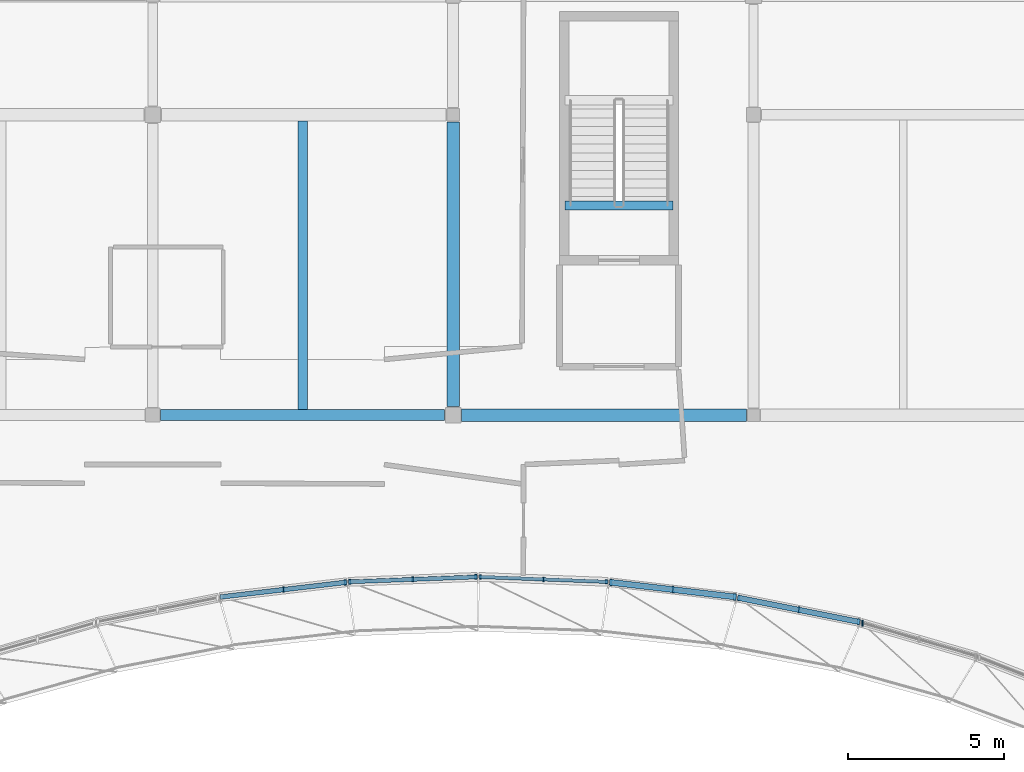
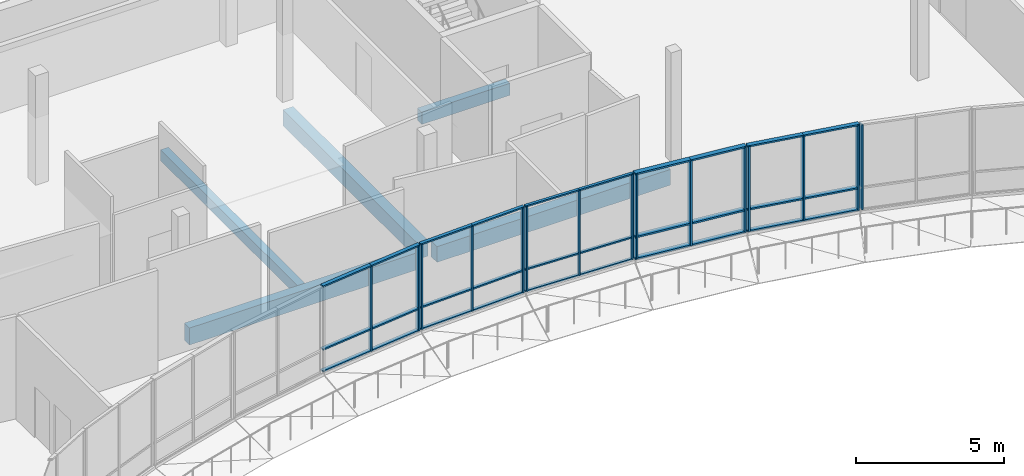
# One storey, part 14 of 41: 45 members, 5 beams, 6 elements without a shape of their own.
"""IFC4 building model written with IfcOpenShell, lengths in metres."""

from ifc_helpers import new_model, si_unit, direction, frame, origin, origin_2d, place, context, subcontext, project, spatial, rectangle, extrude, material, material_profile, profile_set, type_object, element, aggregate, save


model = new_model("IFC4")

# Units and contexts
model_context = context("Model", 3, precision=1e-05, world=origin(), true_north=direction((0.0, 1.0)))
body_context = subcontext(model_context, "Body", "Model", "MODEL_VIEW")
ifc_project = project(units=[si_unit("LENGTHUNIT", "METRE"), si_unit("AREAUNIT", "SQUARE_METRE"), si_unit("VOLUMEUNIT", "CUBIC_METRE"), si_unit("PLANEANGLEUNIT", "RADIAN"), si_unit("MASSUNIT", "GRAM", prefix="KILO")], contexts=[model_context])

# Site, building, storey
site_placement = place(None, origin())
site = spatial("IfcSite", under=ifc_project, at=site_placement, CompositionType="ELEMENT")
building_placement = place(site_placement, origin())
building = spatial("IfcBuilding", under=site, at=building_placement, Name="Mzevani Central Library", CompositionType="ELEMENT")
storey_placement = place(building_placement, frame((0.0, 0.0, 13.800048828125)))
storey = spatial("IfcBuildingStorey", under=building, at=storey_placement, Name="L03", CompositionType="ELEMENT", Elevation=13.800048828125)

# Beams
ifc_material_1 = material(Name="Concrete C35/45", Category="concrete")
ifc_material_profile_1 = material_profile(ifc_material_1, rectangle(XDim=0.300048828125, YDim=0.5, at=origin_2d()), Name="RC B300x500")
ifc_profile_set_1 = profile_set([ifc_material_profile_1], Name="Concrete C35/45")
beam_type_1 = type_object("IfcBeamType", Name="Beam RC 300x500", PredefinedType="BEAM", material=ifc_profile_set_1)
beam_1_placement = place(storey_placement, frame((86.780029296875, 106.699951171875, -0.25), z_axis=(1.0, 0.0, 0.0), x_axis=(0.0, 1.0, 0.0)))
element("IfcBeam", 1, at=beam_1_placement, inside=storey, type_object=beam_type_1, Name="L03 Core C3B Atrium East Escape Stair Stair Opening Trimmer Beam", PredefinedType="BEAM", context=body_context, shape_type="SweptSolid", body=[
    extrude(rectangle(XDim=0.300048828125, YDim=0.5, at=origin_2d()), origin(), (0.0, 0.0, 1.0), 3.43994140625),
])
ifc_material_profile_2 = material_profile(ifc_material_1, rectangle(XDim=0.35009765625, YDim=0.699951171875, at=origin_2d()), Name="RC B350x700")
ifc_profile_set_2 = profile_set([ifc_material_profile_2], Name="Concrete C35/45")
beam_type_2 = type_object("IfcBeamType", Name="Beam RC 350x700", PredefinedType="BEAM", material=ifc_profile_set_2)
beam_2_placement = place(storey_placement, frame((73.85009765625, 100.0, -0.630126953125), z_axis=(1.0, 0.0, 0.0), x_axis=(0.0, 1.0, 0.0)))
element("IfcBeam", 2, at=beam_2_placement, inside=storey, type_object=beam_type_2, Name="L03 V3 Girder B-06 (641)", PredefinedType="BEAM", context=body_context, shape_type="SweptSolid", body=[
    extrude(rectangle(XDim=0.35009765625, YDim=0.699951171875, at=origin_2d()), origin(), (0.0, 0.0, 1.0), 9.074951171875),
])
ifc_material_profile_3 = material_profile(ifc_material_1, rectangle(XDim=0.39990234375, YDim=0.64990234375, at=origin_2d()), Name="RC B400x650")
ifc_profile_set_3 = profile_set([ifc_material_profile_3], Name="Concrete C35/45")
beam_type_3 = type_object("IfcBeamType", Name="Beam RC 400x650", PredefinedType="BEAM", material=ifc_profile_set_3)
beam_3_placement = place(storey_placement, frame((83.47509765625, 100.0, -0.60498046875), z_axis=(1.0, 0.0, 0.0), x_axis=(0.0, 1.0, 0.0)))
element("IfcBeam", 3, at=beam_3_placement, inside=storey, type_object=beam_type_3, Name="L03 V3 Girder B-07 (642)", PredefinedType="BEAM", context=body_context, shape_type="SweptSolid", body=[
    extrude(rectangle(XDim=0.39990234375, YDim=0.64990234375, at=origin_2d()), origin(), (0.0, 0.0, 1.0), 9.099853515625),
])
beam_4_placement = place(storey_placement, frame((83.199951171875, 100.27490234375, -0.60498046875), z_axis=(0.0, 1.0, 0.0), x_axis=(-1.0, 0.0, 0.0)))
element("IfcBeam", 4, at=beam_4_placement, inside=storey, type_object=beam_type_3, Name="L03 V3 Frame Beam B-07 (674)", PredefinedType="BEAM", context=body_context, shape_type="SweptSolid", body=[
    extrude(rectangle(XDim=0.39990234375, YDim=0.64990234375, at=origin_2d()), origin(), (0.0, 0.0, 1.0), 9.10009765625),
])

# Curtain wall, members
ifc_material_2 = material(Name="Thermally broken aluminium and Low-E triple glazing", Category="aluminium")
curtain_wall_type_1 = type_object("IfcCurtainWallType", Name="Elliptical Court Unitised Curtain Wall", PredefinedType="NOTDEFINED", material=ifc_material_2)
curtain_wall_1_placement = place(storey_placement, origin())
curtain_wall_1 = element("IfcCurtainWall", 5, at=curtain_wall_1_placement, inside=storey, type_object=curtain_wall_type_1, Name="L03 Elliptical Court Curtain Wall 12", PredefinedType="NOTDEFINED")
ifc_material_3 = material(Name="Thermally broken aluminium AW-6060", Category="aluminium")
ifc_material_profile_4 = material_profile(ifc_material_3, rectangle(XDim=0.06005859375, YDim=0.139892578125, at=origin_2d()), Name="ALU M60x140")
ifc_profile_set_4 = profile_set([ifc_material_profile_4], Name="Thermally broken aluminium AW-6060")
member_type_1 = type_object("IfcMemberType", Name="CW Mullion 60x140", PredefinedType="MULLION", material=ifc_profile_set_4)
member_1_placement = place(storey_placement, frame((88.09912109375, 94.673583984375, 0.719970703125), z_axis=(0.0, 0.0, 1.0), x_axis=(1.0, 0.0, 0.0)))
member_1 = element("IfcMember", 6, at=member_1_placement, type_object=member_type_1, Name="L03 Elliptical Court Curtain Wall 12 Mullion 1", PredefinedType="MULLION", context=body_context, shape_type="SweptSolid", body=[
    extrude(rectangle(XDim=0.06005859375, YDim=0.139892578125, at=origin_2d()), origin(), (0.0, 0.0, 1.0), 3.5),
])
member_2_placement = place(storey_placement, frame((86.086669921875, 94.75146484375, 0.719970703125), z_axis=(0.0, 0.0, 1.0), x_axis=(1.0, 0.0, 0.0)))
member_2 = element("IfcMember", 7, at=member_2_placement, type_object=member_type_1, Name="L03 Elliptical Court Curtain Wall 12 Mullion 2", PredefinedType="MULLION", context=body_context, shape_type="SweptSolid", body=[
    extrude(rectangle(XDim=0.06005859375, YDim=0.139892578125, at=origin_2d()), origin(), (0.0, 0.0, 1.0), 3.5),
])
member_3_placement = place(storey_placement, frame((84.07421875, 94.8291015625, 0.719970703125), z_axis=(0.0, 0.0, 1.0), x_axis=(1.0, 0.0, 0.0)))
member_3 = element("IfcMember", 8, at=member_3_placement, type_object=member_type_1, Name="L03 Elliptical Court Curtain Wall 12 Mullion 3", PredefinedType="MULLION", context=body_context, shape_type="SweptSolid", body=[
    extrude(rectangle(XDim=0.06005859375, YDim=0.139892578125, at=origin_2d()), origin(), (0.0, 0.0, 1.0), 3.5),
])

curtain_wall_type_2 = type_object("IfcCurtainWallType", Name="Reading Hall Northlight Curtain Wall", PredefinedType="NOTDEFINED", material=ifc_material_2)
curtain_wall_2_placement = place(storey_placement, origin())
curtain_wall_2 = element("IfcCurtainWall", 9, at=curtain_wall_2_placement, inside=storey, type_object=curtain_wall_type_2, Name="L03 Elliptical Court Curtain Wall 13", PredefinedType="NOTDEFINED")
ifc_material_profile_5 = material_profile(ifc_material_3, rectangle(XDim=0.06005859375, YDim=0.159912109375, at=origin_2d()), Name="ALU M60x160")
ifc_profile_set_5 = profile_set([ifc_material_profile_5], Name="Thermally broken aluminium AW-6060")
member_type_2 = type_object("IfcMemberType", Name="CW Mullion 60x160", PredefinedType="MULLION", material=ifc_profile_set_5)
member_4_placement = place(storey_placement, frame((83.92578125, 94.8291015625, 0.719970703125), z_axis=(0.0, 0.0, 1.0), x_axis=(1.0, 0.0, 0.0)))
member_4 = element("IfcMember", 10, at=member_4_placement, type_object=member_type_2, Name="L03 Elliptical Court Curtain Wall 13 Mullion 1", PredefinedType="MULLION", context=body_context, shape_type="SweptSolid", body=[
    extrude(rectangle(XDim=0.06005859375, YDim=0.159912109375, at=origin_2d()), origin(), (0.0, 0.0, 1.0), 3.5),
])
member_5_placement = place(storey_placement, frame((81.913330078125, 94.75146484375, 0.719970703125), z_axis=(0.0, 0.0, 1.0), x_axis=(1.0, 0.0, 0.0)))
member_5 = element("IfcMember", 11, at=member_5_placement, type_object=member_type_2, Name="L03 Elliptical Court Curtain Wall 13 Mullion 2", PredefinedType="MULLION", context=body_context, shape_type="SweptSolid", body=[
    extrude(rectangle(XDim=0.06005859375, YDim=0.159912109375, at=origin_2d()), origin(), (0.0, 0.0, 1.0), 3.5),
])
member_6_placement = place(storey_placement, frame((79.90087890625, 94.673583984375, 0.719970703125), z_axis=(0.0, 0.0, 1.0), x_axis=(1.0, 0.0, 0.0)))
member_6 = element("IfcMember", 12, at=member_6_placement, type_object=member_type_2, Name="L03 Elliptical Court Curtain Wall 13 Mullion 3", PredefinedType="MULLION", context=body_context, shape_type="SweptSolid", body=[
    extrude(rectangle(XDim=0.06005859375, YDim=0.159912109375, at=origin_2d()), origin(), (0.0, 0.0, 1.0), 3.5),
])

# Curtain wall, member
curtain_wall_3_placement = place(storey_placement, origin())
curtain_wall_3 = element("IfcCurtainWall", 13, at=curtain_wall_3_placement, inside=storey, type_object=curtain_wall_type_1, Name="L03 Elliptical Court Curtain Wall 9", PredefinedType="NOTDEFINED")
ifc_material_profile_6 = material_profile(ifc_material_3, rectangle(XDim=0.06005859375, YDim=0.179931640625, at=origin_2d()), Name="ALU M60x180")
ifc_profile_set_6 = profile_set([ifc_material_profile_6], Name="Thermally broken aluminium AW-6060")
member_type_3 = type_object("IfcMemberType", Name="CW Mullion 60x180", PredefinedType="MULLION", material=ifc_profile_set_6)
member_7_placement = place(storey_placement, frame((96.281982421875, 93.350341796875, 0.719970703125), z_axis=(0.0, 0.0, 1.0), x_axis=(1.0, 0.0, 0.0)))
member_7 = element("IfcMember", 14, at=member_7_placement, type_object=member_type_3, Name="L03 Elliptical Court Curtain Wall 9 Mullion 3", PredefinedType="MULLION", context=body_context, shape_type="SweptSolid", body=[
    extrude(rectangle(XDim=0.06005859375, YDim=0.179931640625, at=origin_2d()), origin(), (0.0, 0.0, 1.0), 3.5),
])
aggregate(curtain_wall_3, [member_7])

# Curtain wall, members
curtain_wall_4_placement = place(storey_placement, origin())
curtain_wall_4 = element("IfcCurtainWall", 15, at=curtain_wall_4_placement, inside=storey, type_object=curtain_wall_type_1, Name="L03 Elliptical Court Curtain Wall 14", PredefinedType="NOTDEFINED")
member_8_placement = place(storey_placement, frame((79.75537109375, 94.65576171875, 0.719970703125), z_axis=(0.0, 0.0, 1.0), x_axis=(1.0, 0.0, 0.0)))
member_8 = element("IfcMember", 16, at=member_8_placement, type_object=member_type_3, Name="L03 Elliptical Court Curtain Wall 14 Mullion 1", PredefinedType="MULLION", context=body_context, shape_type="SweptSolid", body=[
    extrude(rectangle(XDim=0.06005859375, YDim=0.179931640625, at=origin_2d()), origin(), (0.0, 0.0, 1.0), 3.5),
])
member_9_placement = place(storey_placement, frame((77.77783203125, 94.424072265625, 0.719970703125), z_axis=(0.0, 0.0, 1.0), x_axis=(1.0, 0.0, 0.0)))
member_9 = element("IfcMember", 17, at=member_9_placement, type_object=member_type_3, Name="L03 Elliptical Court Curtain Wall 14 Mullion 2", PredefinedType="MULLION", context=body_context, shape_type="SweptSolid", body=[
    extrude(rectangle(XDim=0.06005859375, YDim=0.179931640625, at=origin_2d()), origin(), (0.0, 0.0, 1.0), 3.5),
])

curtain_wall_5_placement = place(storey_placement, origin())
curtain_wall_5 = element("IfcCurtainWall", 18, at=curtain_wall_5_placement, inside=storey, type_object=curtain_wall_type_2, Name="L03 Elliptical Court Curtain Wall 10", PredefinedType="NOTDEFINED")
ifc_material_profile_7 = material_profile(ifc_material_3, rectangle(XDim=0.06494140625, YDim=0.199951171875, at=origin_2d()), Name="ALU M65x200")
ifc_profile_set_7 = profile_set([ifc_material_profile_7], Name="Thermally broken aluminium AW-6060")
member_type_4 = type_object("IfcMemberType", Name="CW Mullion 65x200", PredefinedType="MULLION", material=ifc_profile_set_7)
member_10_placement = place(storey_placement, frame((96.153564453125, 93.39599609375, 0.719970703125), z_axis=(0.0, 0.0, 1.0), x_axis=(1.0, 0.0, 0.0)))
member_10 = element("IfcMember", 19, at=member_10_placement, type_object=member_type_4, Name="L03 Elliptical Court Curtain Wall 10 Mullion 1", PredefinedType="MULLION", context=body_context, shape_type="SweptSolid", body=[
    extrude(rectangle(XDim=0.06494140625, YDim=0.199951171875, at=origin_2d()), origin(), (0.0, 0.0, 1.0), 3.5),
])
member_11_placement = place(storey_placement, frame((94.24560546875, 93.77734375, 0.719970703125), z_axis=(0.0, 0.0, 1.0), x_axis=(1.0, 0.0, 0.0)))
member_11 = element("IfcMember", 20, at=member_11_placement, type_object=member_type_4, Name="L03 Elliptical Court Curtain Wall 10 Mullion 2", PredefinedType="MULLION", context=body_context, shape_type="SweptSolid", body=[
    extrude(rectangle(XDim=0.06494140625, YDim=0.199951171875, at=origin_2d()), origin(), (0.0, 0.0, 1.0), 3.5),
])
member_12_placement = place(storey_placement, frame((92.337646484375, 94.158935546875, 0.719970703125), z_axis=(0.0, 0.0, 1.0), x_axis=(1.0, 0.0, 0.0)))
member_12 = element("IfcMember", 21, at=member_12_placement, type_object=member_type_4, Name="L03 Elliptical Court Curtain Wall 10 Mullion 3", PredefinedType="MULLION", context=body_context, shape_type="SweptSolid", body=[
    extrude(rectangle(XDim=0.06494140625, YDim=0.199951171875, at=origin_2d()), origin(), (0.0, 0.0, 1.0), 3.5),
])

curtain_wall_6_placement = place(storey_placement, origin())
curtain_wall_6 = element("IfcCurtainWall", 22, at=curtain_wall_6_placement, inside=storey, type_object=curtain_wall_type_1, Name="L03 Elliptical Court Curtain Wall 11", PredefinedType="NOTDEFINED")
ifc_material_profile_8 = material_profile(ifc_material_3, rectangle(XDim=0.070068359375, YDim=0.219970703125, at=origin_2d()), Name="ALU M70x220")
ifc_profile_set_8 = profile_set([ifc_material_profile_8], Name="Thermally broken aluminium AW-6060")
member_type_5 = type_object("IfcMemberType", Name="CW Mullion 70x220", PredefinedType="MULLION", material=ifc_profile_set_8)
member_13_placement = place(storey_placement, frame((92.199462890625, 94.1923828125, 0.719970703125), z_axis=(0.0, 0.0, 1.0), x_axis=(1.0, 0.0, 0.0)))
member_13 = element("IfcMember", 23, at=member_13_placement, type_object=member_type_5, Name="L03 Elliptical Court Curtain Wall 11 Mullion 1", PredefinedType="MULLION", context=body_context, shape_type="SweptSolid", body=[
    extrude(rectangle(XDim=0.070068359375, YDim=0.219970703125, at=origin_2d()), origin(), (0.0, 0.0, 1.0), 3.5),
])
member_14_placement = place(storey_placement, frame((90.22216796875, 94.424072265625, 0.719970703125), z_axis=(0.0, 0.0, 1.0), x_axis=(1.0, 0.0, 0.0)))
member_14 = element("IfcMember", 24, at=member_14_placement, type_object=member_type_5, Name="L03 Elliptical Court Curtain Wall 11 Mullion 2", PredefinedType="MULLION", context=body_context, shape_type="SweptSolid", body=[
    extrude(rectangle(XDim=0.070068359375, YDim=0.219970703125, at=origin_2d()), origin(), (0.0, 0.0, 1.0), 3.5),
])
member_15_placement = place(storey_placement, frame((88.24462890625, 94.65576171875, 0.719970703125), z_axis=(0.0, 0.0, 1.0), x_axis=(1.0, 0.0, 0.0)))
member_15 = element("IfcMember", 25, at=member_15_placement, type_object=member_type_5, Name="L03 Elliptical Court Curtain Wall 11 Mullion 3", PredefinedType="MULLION", context=body_context, shape_type="SweptSolid", body=[
    extrude(rectangle(XDim=0.070068359375, YDim=0.219970703125, at=origin_2d()), origin(), (0.0, 0.0, 1.0), 3.5),
])

# Member
ifc_material_profile_9 = material_profile(ifc_material_3, rectangle(XDim=0.110107421875, YDim=0.06005859375, at=origin_2d()), Name="ALU T60x110")
ifc_profile_set_9 = profile_set([ifc_material_profile_9], Name="Thermally broken aluminium AW-6060")
member_type_6 = type_object("IfcMemberType", Name="CW Transom 60x110", PredefinedType="USERDEFINED", material=ifc_profile_set_9)
member_16_placement = place(storey_placement, frame((88.14892578125, 94.671630859375, 0.719970703125), z_axis=(-0.999251532882, 0.038682994111, 0.0), x_axis=(-0.038682994111, -0.999251532882, 0.0)))
member_16 = element("IfcMember", 26, at=member_16_placement, type_object=member_type_6, Name="L03 Elliptical Court Curtain Wall 12 Transom 1", ObjectType="TRANSOM", PredefinedType="USERDEFINED", context=body_context, shape_type="SweptSolid", body=[
    extrude(rectangle(XDim=0.110107421875, YDim=0.06005859375, at=origin_2d()), origin(), (0.0, 0.0, 1.0), 2.063720703125),
])

member_17_placement = place(storey_placement, frame((88.14892578125, 94.671630859375, 1.619873046875), z_axis=(-0.999251532882, 0.038682994111, 0.0), x_axis=(-0.038682994111, -0.999251532882, 0.0)))
member_17 = element("IfcMember", 27, at=member_17_placement, type_object=member_type_6, Name="L03 Elliptical Court Curtain Wall 12 Transom 2", ObjectType="TRANSOM", PredefinedType="USERDEFINED", context=body_context, shape_type="SweptSolid", body=[
    extrude(rectangle(XDim=0.110107421875, YDim=0.06005859375, at=origin_2d()), origin(), (0.0, 0.0, 1.0), 2.063720703125),
])

member_18_placement = place(storey_placement, frame((88.14892578125, 94.671630859375, 4.219970703125), z_axis=(-0.999251532882, 0.038682994111, 0.0), x_axis=(-0.038682994111, -0.999251532882, 0.0)))
member_18 = element("IfcMember", 28, at=member_18_placement, type_object=member_type_6, Name="L03 Elliptical Court Curtain Wall 12 Transom 3", ObjectType="TRANSOM", PredefinedType="USERDEFINED", context=body_context, shape_type="SweptSolid", body=[
    extrude(rectangle(XDim=0.110107421875, YDim=0.06005859375, at=origin_2d()), origin(), (0.0, 0.0, 1.0), 2.063720703125),
])

member_19_placement = place(storey_placement, frame((86.086669921875, 94.75146484375, 0.719970703125), z_axis=(-0.999256098564, 0.038564873699, 0.0), x_axis=(-0.038564873699, -0.999256098564, 0.0)))
member_19 = element("IfcMember", 29, at=member_19_placement, type_object=member_type_6, Name="L03 Elliptical Court Curtain Wall 12 Transom 4", ObjectType="TRANSOM", PredefinedType="USERDEFINED", context=body_context, shape_type="SweptSolid", body=[
    extrude(rectangle(XDim=0.110107421875, YDim=0.06005859375, at=origin_2d()), origin(), (0.0, 0.0, 1.0), 2.063720703125),
])

member_20_placement = place(storey_placement, frame((86.086669921875, 94.75146484375, 1.619873046875), z_axis=(-0.999256098564, 0.038564873699, 0.0), x_axis=(-0.038564873699, -0.999256098564, 0.0)))
member_20 = element("IfcMember", 30, at=member_20_placement, type_object=member_type_6, Name="L03 Elliptical Court Curtain Wall 12 Transom 5", ObjectType="TRANSOM", PredefinedType="USERDEFINED", context=body_context, shape_type="SweptSolid", body=[
    extrude(rectangle(XDim=0.110107421875, YDim=0.06005859375, at=origin_2d()), origin(), (0.0, 0.0, 1.0), 2.063720703125),
])

member_21_placement = place(storey_placement, frame((86.086669921875, 94.75146484375, 4.219970703125), z_axis=(-0.999256098564, 0.038564873699, 0.0), x_axis=(-0.038564873699, -0.999256098564, 0.0)))
member_21 = element("IfcMember", 31, at=member_21_placement, type_object=member_type_6, Name="L03 Elliptical Court Curtain Wall 12 Transom 6", ObjectType="TRANSOM", PredefinedType="USERDEFINED", context=body_context, shape_type="SweptSolid", body=[
    extrude(rectangle(XDim=0.110107421875, YDim=0.06005859375, at=origin_2d()), origin(), (0.0, 0.0, 1.0), 2.063720703125),
])

aggregate(curtain_wall_1, [member_1, member_2, member_3, member_16, member_17, member_18, member_19, member_20, member_21])

ifc_material_profile_10 = material_profile(ifc_material_3, rectangle(XDim=0.1298828125, YDim=0.06005859375, at=origin_2d()), Name="ALU T60x130")
ifc_profile_set_10 = profile_set([ifc_material_profile_10], Name="Thermally broken aluminium AW-6060")
member_type_7 = type_object("IfcMemberType", Name="CW Transom 60x130", PredefinedType="USERDEFINED", material=ifc_profile_set_10)
member_22_placement = place(storey_placement, frame((83.9755859375, 94.8310546875, 0.719970703125), z_axis=(-0.999256098564, -0.038564873699, 0.0), x_axis=(0.038564873699, -0.999256098564, 0.0)))
member_22 = element("IfcMember", 32, at=member_22_placement, type_object=member_type_7, Name="L03 Elliptical Court Curtain Wall 13 Transom 1", ObjectType="TRANSOM", PredefinedType="USERDEFINED", context=body_context, shape_type="SweptSolid", body=[
    extrude(rectangle(XDim=0.1298828125, YDim=0.06005859375, at=origin_2d()), origin(), (0.0, 0.0, 1.0), 2.063720703125),
])

member_23_placement = place(storey_placement, frame((83.9755859375, 94.8310546875, 1.619873046875), z_axis=(-0.999256098564, -0.038564873699, 0.0), x_axis=(0.038564873699, -0.999256098564, 0.0)))
member_23 = element("IfcMember", 33, at=member_23_placement, type_object=member_type_7, Name="L03 Elliptical Court Curtain Wall 13 Transom 2", ObjectType="TRANSOM", PredefinedType="USERDEFINED", context=body_context, shape_type="SweptSolid", body=[
    extrude(rectangle(XDim=0.1298828125, YDim=0.06005859375, at=origin_2d()), origin(), (0.0, 0.0, 1.0), 2.063720703125),
])

member_24_placement = place(storey_placement, frame((83.9755859375, 94.8310546875, 4.219970703125), z_axis=(-0.999256098564, -0.038564873699, 0.0), x_axis=(0.038564873699, -0.999256098564, 0.0)))
member_24 = element("IfcMember", 34, at=member_24_placement, type_object=member_type_7, Name="L03 Elliptical Court Curtain Wall 13 Transom 3", ObjectType="TRANSOM", PredefinedType="USERDEFINED", context=body_context, shape_type="SweptSolid", body=[
    extrude(rectangle(XDim=0.1298828125, YDim=0.06005859375, at=origin_2d()), origin(), (0.0, 0.0, 1.0), 2.063720703125),
])

member_25_placement = place(storey_placement, frame((81.913330078125, 94.75146484375, 0.719970703125), z_axis=(-0.999251532882, -0.038682994111, 0.0), x_axis=(0.038682994111, -0.999251532882, 0.0)))
member_25 = element("IfcMember", 35, at=member_25_placement, type_object=member_type_7, Name="L03 Elliptical Court Curtain Wall 13 Transom 4", ObjectType="TRANSOM", PredefinedType="USERDEFINED", context=body_context, shape_type="SweptSolid", body=[
    extrude(rectangle(XDim=0.1298828125, YDim=0.06005859375, at=origin_2d()), origin(), (0.0, 0.0, 1.0), 2.063720703125),
])

member_26_placement = place(storey_placement, frame((81.913330078125, 94.75146484375, 1.619873046875), z_axis=(-0.999251532882, -0.038682994111, 0.0), x_axis=(0.038682994111, -0.999251532882, 0.0)))
member_26 = element("IfcMember", 36, at=member_26_placement, type_object=member_type_7, Name="L03 Elliptical Court Curtain Wall 13 Transom 5", ObjectType="TRANSOM", PredefinedType="USERDEFINED", context=body_context, shape_type="SweptSolid", body=[
    extrude(rectangle(XDim=0.1298828125, YDim=0.06005859375, at=origin_2d()), origin(), (0.0, 0.0, 1.0), 2.063720703125),
])

member_27_placement = place(storey_placement, frame((81.913330078125, 94.75146484375, 4.219970703125), z_axis=(-0.999251532882, -0.038682994111, 0.0), x_axis=(0.038682994111, -0.999251532882, 0.0)))
member_27 = element("IfcMember", 37, at=member_27_placement, type_object=member_type_7, Name="L03 Elliptical Court Curtain Wall 13 Transom 6", ObjectType="TRANSOM", PredefinedType="USERDEFINED", context=body_context, shape_type="SweptSolid", body=[
    extrude(rectangle(XDim=0.1298828125, YDim=0.06005859375, at=origin_2d()), origin(), (0.0, 0.0, 1.0), 2.063720703125),
])

aggregate(curtain_wall_2, [member_4, member_5, member_6, member_22, member_23, member_24, member_25, member_26, member_27])

ifc_material_profile_11 = material_profile(ifc_material_3, rectangle(XDim=0.14990234375, YDim=0.06005859375, at=origin_2d()), Name="ALU T60x150")
ifc_profile_set_11 = profile_set([ifc_material_profile_11], Name="Thermally broken aluminium AW-6060")
member_type_8 = type_object("IfcMemberType", Name="CW Transom 60x150", PredefinedType="USERDEFINED", material=ifc_profile_set_11)
member_28_placement = place(storey_placement, frame((79.804931640625, 94.66162109375, 0.719970703125), z_axis=(-0.993203575515, -0.116390109476, 0.0), x_axis=(0.116390109476, -0.993203575515, 0.0)))
member_28 = element("IfcMember", 38, at=member_28_placement, type_object=member_type_8, Name="L03 Elliptical Court Curtain Wall 14 Transom 1", ObjectType="TRANSOM", PredefinedType="USERDEFINED", context=body_context, shape_type="SweptSolid", body=[
    extrude(rectangle(XDim=0.14990234375, YDim=0.06005859375, at=origin_2d()), origin(), (0.0, 0.0, 1.0), 2.041015625),
])

member_29_placement = place(storey_placement, frame((79.804931640625, 94.66162109375, 1.619873046875), z_axis=(-0.993203575515, -0.116390109476, 0.0), x_axis=(0.116390109476, -0.993203575515, 0.0)))
member_29 = element("IfcMember", 39, at=member_29_placement, type_object=member_type_8, Name="L03 Elliptical Court Curtain Wall 14 Transom 2", ObjectType="TRANSOM", PredefinedType="USERDEFINED", context=body_context, shape_type="SweptSolid", body=[
    extrude(rectangle(XDim=0.14990234375, YDim=0.06005859375, at=origin_2d()), origin(), (0.0, 0.0, 1.0), 2.041015625),
])

member_30_placement = place(storey_placement, frame((79.804931640625, 94.66162109375, 4.219970703125), z_axis=(-0.993203575515, -0.116390109476, 0.0), x_axis=(0.116390109476, -0.993203575515, 0.0)))
member_30 = element("IfcMember", 40, at=member_30_placement, type_object=member_type_8, Name="L03 Elliptical Court Curtain Wall 14 Transom 3", ObjectType="TRANSOM", PredefinedType="USERDEFINED", context=body_context, shape_type="SweptSolid", body=[
    extrude(rectangle(XDim=0.14990234375, YDim=0.06005859375, at=origin_2d()), origin(), (0.0, 0.0, 1.0), 2.041015625),
])

member_31_placement = place(storey_placement, frame((77.77783203125, 94.424072265625, 0.719970703125), z_axis=(-0.993201954777, -0.116403939051, 0.0), x_axis=(0.116403939051, -0.993201954777, 0.0)))
member_31 = element("IfcMember", 41, at=member_31_placement, type_object=member_type_8, Name="L03 Elliptical Court Curtain Wall 14 Transom 4", ObjectType="TRANSOM", PredefinedType="USERDEFINED", context=body_context, shape_type="SweptSolid", body=[
    extrude(rectangle(XDim=0.14990234375, YDim=0.06005859375, at=origin_2d()), origin(), (0.0, 0.0, 1.0), 2.040771484375),
])

member_32_placement = place(storey_placement, frame((77.77783203125, 94.424072265625, 1.619873046875), z_axis=(-0.993201954777, -0.116403939051, 0.0), x_axis=(0.116403939051, -0.993201954777, 0.0)))
member_32 = element("IfcMember", 42, at=member_32_placement, type_object=member_type_8, Name="L03 Elliptical Court Curtain Wall 14 Transom 5", ObjectType="TRANSOM", PredefinedType="USERDEFINED", context=body_context, shape_type="SweptSolid", body=[
    extrude(rectangle(XDim=0.14990234375, YDim=0.06005859375, at=origin_2d()), origin(), (0.0, 0.0, 1.0), 2.040771484375),
])

member_33_placement = place(storey_placement, frame((77.77783203125, 94.424072265625, 4.219970703125), z_axis=(-0.993201954777, -0.116403939051, 0.0), x_axis=(0.116403939051, -0.993201954777, 0.0)))
member_33 = element("IfcMember", 43, at=member_33_placement, type_object=member_type_8, Name="L03 Elliptical Court Curtain Wall 14 Transom 6", ObjectType="TRANSOM", PredefinedType="USERDEFINED", context=body_context, shape_type="SweptSolid", body=[
    extrude(rectangle(XDim=0.14990234375, YDim=0.06005859375, at=origin_2d()), origin(), (0.0, 0.0, 1.0), 2.040771484375),
])

aggregate(curtain_wall_4, [member_8, member_9, member_28, member_29, member_30, member_31, member_32, member_33])

ifc_material_profile_12 = material_profile(ifc_material_3, rectangle(XDim=0.169921875, YDim=0.06494140625, at=origin_2d()), Name="ALU T65x170")
ifc_profile_set_12 = profile_set([ifc_material_profile_12], Name="Thermally broken aluminium AW-6060")
member_type_9 = type_object("IfcMemberType", Name="CW Transom 65x170", PredefinedType="USERDEFINED", material=ifc_profile_set_12)
member_34_placement = place(storey_placement, frame((96.20263671875, 93.385986328125, 0.719970703125), z_axis=(-0.980585380352, 0.196092610367, 0.0), x_axis=(-0.196092610367, -0.980585380352, 0.0)))
member_34 = element("IfcMember", 44, at=member_34_placement, type_object=member_type_9, Name="L03 Elliptical Court Curtain Wall 10 Transom 1", ObjectType="TRANSOM", PredefinedType="USERDEFINED", context=body_context, shape_type="SweptSolid", body=[
    extrude(rectangle(XDim=0.169921875, YDim=0.06494140625, at=origin_2d()), origin(), (0.0, 0.0, 1.0), 1.995849609375),
])

member_35_placement = place(storey_placement, frame((96.20263671875, 93.385986328125, 1.619873046875), z_axis=(-0.980585380352, 0.196092610367, 0.0), x_axis=(-0.196092610367, -0.980585380352, 0.0)))
member_35 = element("IfcMember", 45, at=member_35_placement, type_object=member_type_9, Name="L03 Elliptical Court Curtain Wall 10 Transom 2", ObjectType="TRANSOM", PredefinedType="USERDEFINED", context=body_context, shape_type="SweptSolid", body=[
    extrude(rectangle(XDim=0.169921875, YDim=0.06494140625, at=origin_2d()), origin(), (0.0, 0.0, 1.0), 1.995849609375),
])

member_36_placement = place(storey_placement, frame((96.20263671875, 93.385986328125, 4.219970703125), z_axis=(-0.980585380352, 0.196092610367, 0.0), x_axis=(-0.196092610367, -0.980585380352, 0.0)))
member_36 = element("IfcMember", 46, at=member_36_placement, type_object=member_type_9, Name="L03 Elliptical Court Curtain Wall 10 Transom 3", ObjectType="TRANSOM", PredefinedType="USERDEFINED", context=body_context, shape_type="SweptSolid", body=[
    extrude(rectangle(XDim=0.169921875, YDim=0.06494140625, at=origin_2d()), origin(), (0.0, 0.0, 1.0), 1.995849609375),
])

member_37_placement = place(storey_placement, frame((94.24560546875, 93.77734375, 0.719970703125), z_axis=(-0.980585380352, 0.196092610367, 0.0), x_axis=(-0.196092610367, -0.980585380352, 0.0)))
member_37 = element("IfcMember", 47, at=member_37_placement, type_object=member_type_9, Name="L03 Elliptical Court Curtain Wall 10 Transom 4", ObjectType="TRANSOM", PredefinedType="USERDEFINED", context=body_context, shape_type="SweptSolid", body=[
    extrude(rectangle(XDim=0.169921875, YDim=0.06494140625, at=origin_2d()), origin(), (0.0, 0.0, 1.0), 1.995849609375),
])

member_38_placement = place(storey_placement, frame((94.24560546875, 93.77734375, 1.619873046875), z_axis=(-0.980585380352, 0.196092610367, 0.0), x_axis=(-0.196092610367, -0.980585380352, 0.0)))
member_38 = element("IfcMember", 48, at=member_38_placement, type_object=member_type_9, Name="L03 Elliptical Court Curtain Wall 10 Transom 5", ObjectType="TRANSOM", PredefinedType="USERDEFINED", context=body_context, shape_type="SweptSolid", body=[
    extrude(rectangle(XDim=0.169921875, YDim=0.06494140625, at=origin_2d()), origin(), (0.0, 0.0, 1.0), 1.995849609375),
])

member_39_placement = place(storey_placement, frame((94.24560546875, 93.77734375, 4.219970703125), z_axis=(-0.980585380352, 0.196092610367, 0.0), x_axis=(-0.196092610367, -0.980585380352, 0.0)))
member_39 = element("IfcMember", 49, at=member_39_placement, type_object=member_type_9, Name="L03 Elliptical Court Curtain Wall 10 Transom 6", ObjectType="TRANSOM", PredefinedType="USERDEFINED", context=body_context, shape_type="SweptSolid", body=[
    extrude(rectangle(XDim=0.169921875, YDim=0.06494140625, at=origin_2d()), origin(), (0.0, 0.0, 1.0), 1.995849609375),
])

aggregate(curtain_wall_5, [member_10, member_11, member_12, member_34, member_35, member_36, member_37, member_38, member_39])

ifc_material_profile_13 = material_profile(ifc_material_3, rectangle(XDim=0.18994140625, YDim=0.070068359375, at=origin_2d()), Name="ALU T70x190")
ifc_profile_set_13 = profile_set([ifc_material_profile_13], Name="Thermally broken aluminium AW-6060")
member_type_10 = type_object("IfcMemberType", Name="CW Transom 70x190", PredefinedType="USERDEFINED", material=ifc_profile_set_13)
member_40_placement = place(storey_placement, frame((92.2490234375, 94.1865234375, 0.719970703125), z_axis=(-0.993201954777, 0.116403939051, 0.0), x_axis=(-0.116403939051, -0.993201954777, 0.0)))
member_40 = element("IfcMember", 50, at=member_40_placement, type_object=member_type_10, Name="L03 Elliptical Court Curtain Wall 11 Transom 1", ObjectType="TRANSOM", PredefinedType="USERDEFINED", context=body_context, shape_type="SweptSolid", body=[
    extrude(rectangle(XDim=0.18994140625, YDim=0.070068359375, at=origin_2d()), origin(), (0.0, 0.0, 1.0), 2.040771484375),
])

member_41_placement = place(storey_placement, frame((92.2490234375, 94.1865234375, 1.619873046875), z_axis=(-0.993201954777, 0.116403939051, 0.0), x_axis=(-0.116403939051, -0.993201954777, 0.0)))
member_41 = element("IfcMember", 51, at=member_41_placement, type_object=member_type_10, Name="L03 Elliptical Court Curtain Wall 11 Transom 2", ObjectType="TRANSOM", PredefinedType="USERDEFINED", context=body_context, shape_type="SweptSolid", body=[
    extrude(rectangle(XDim=0.18994140625, YDim=0.070068359375, at=origin_2d()), origin(), (0.0, 0.0, 1.0), 2.040771484375),
])

member_42_placement = place(storey_placement, frame((92.2490234375, 94.1865234375, 4.219970703125), z_axis=(-0.993201954777, 0.116403939051, 0.0), x_axis=(-0.116403939051, -0.993201954777, 0.0)))
member_42 = element("IfcMember", 52, at=member_42_placement, type_object=member_type_10, Name="L03 Elliptical Court Curtain Wall 11 Transom 3", ObjectType="TRANSOM", PredefinedType="USERDEFINED", context=body_context, shape_type="SweptSolid", body=[
    extrude(rectangle(XDim=0.18994140625, YDim=0.070068359375, at=origin_2d()), origin(), (0.0, 0.0, 1.0), 2.040771484375),
])

member_43_placement = place(storey_placement, frame((90.22216796875, 94.424072265625, 0.719970703125), z_axis=(-0.993203575515, 0.116390109476, 0.0), x_axis=(-0.116390109476, -0.993203575515, 0.0)))
member_43 = element("IfcMember", 53, at=member_43_placement, type_object=member_type_10, Name="L03 Elliptical Court Curtain Wall 11 Transom 4", ObjectType="TRANSOM", PredefinedType="USERDEFINED", context=body_context, shape_type="SweptSolid", body=[
    extrude(rectangle(XDim=0.18994140625, YDim=0.070068359375, at=origin_2d()), origin(), (0.0, 0.0, 1.0), 2.041015625),
])

member_44_placement = place(storey_placement, frame((90.22216796875, 94.424072265625, 1.619873046875), z_axis=(-0.993203575515, 0.116390109476, 0.0), x_axis=(-0.116390109476, -0.993203575515, 0.0)))
member_44 = element("IfcMember", 54, at=member_44_placement, type_object=member_type_10, Name="L03 Elliptical Court Curtain Wall 11 Transom 5", ObjectType="TRANSOM", PredefinedType="USERDEFINED", context=body_context, shape_type="SweptSolid", body=[
    extrude(rectangle(XDim=0.18994140625, YDim=0.070068359375, at=origin_2d()), origin(), (0.0, 0.0, 1.0), 2.041015625),
])

member_45_placement = place(storey_placement, frame((90.22216796875, 94.424072265625, 4.219970703125), z_axis=(-0.993203575515, 0.116390109476, 0.0), x_axis=(-0.116390109476, -0.993203575515, 0.0)))
member_45 = element("IfcMember", 55, at=member_45_placement, type_object=member_type_10, Name="L03 Elliptical Court Curtain Wall 11 Transom 6", ObjectType="TRANSOM", PredefinedType="USERDEFINED", context=body_context, shape_type="SweptSolid", body=[
    extrude(rectangle(XDim=0.18994140625, YDim=0.070068359375, at=origin_2d()), origin(), (0.0, 0.0, 1.0), 2.041015625),
])

aggregate(curtain_wall_6, [member_13, member_14, member_15, member_40, member_41, member_42, member_43, member_44, member_45])

# Beam
ifc_material_profile_14 = material_profile(ifc_material_1, rectangle(XDim=0.300048828125, YDim=0.449951171875, at=origin_2d()), Name="RC J300x450")
ifc_profile_set_14 = profile_set([ifc_material_profile_14], Name="Concrete C35/45")
beam_type_4 = type_object("IfcBeamType", Name="Floor Joist RC 300x450", PredefinedType="JOIST", material=ifc_profile_set_14)
beam_5_placement = place(storey_placement, frame((78.39990234375, 100.175048828125, -0.505126953125), z_axis=(0.0, 1.0, 0.0), x_axis=(-1.0, 0.0, 0.0)))
element("IfcBeam", 56, at=beam_5_placement, inside=storey, type_object=beam_type_4, Name="L03 V3 Floor Joist BJ-03 (698)", PredefinedType="JOIST", context=body_context, shape_type="SweptSolid", body=[
    extrude(rectangle(XDim=0.300048828125, YDim=0.449951171875, at=origin_2d()), origin(), (0.0, 0.0, 1.0), 9.224853515625),
])

save(model, "model.ifc")
